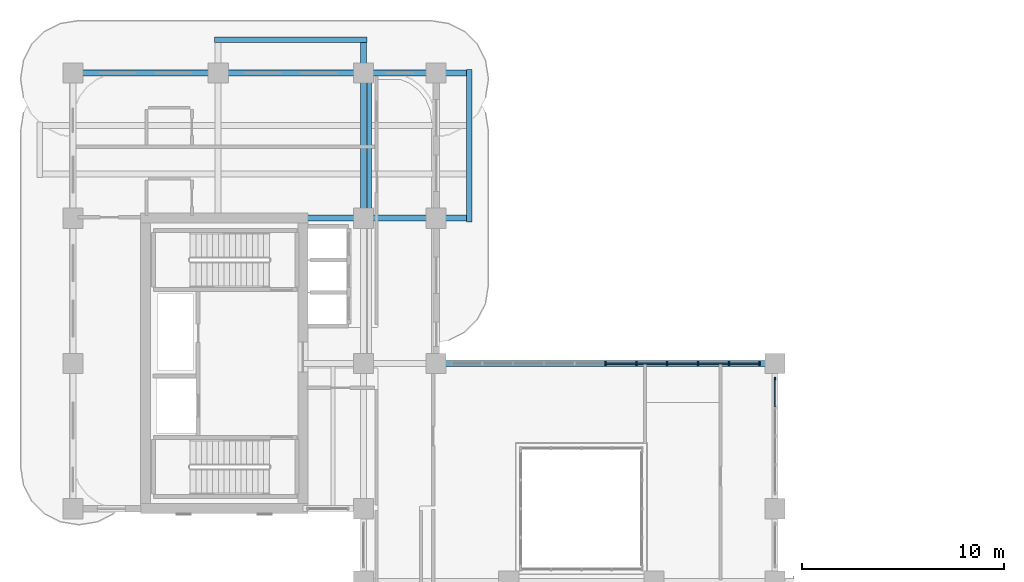
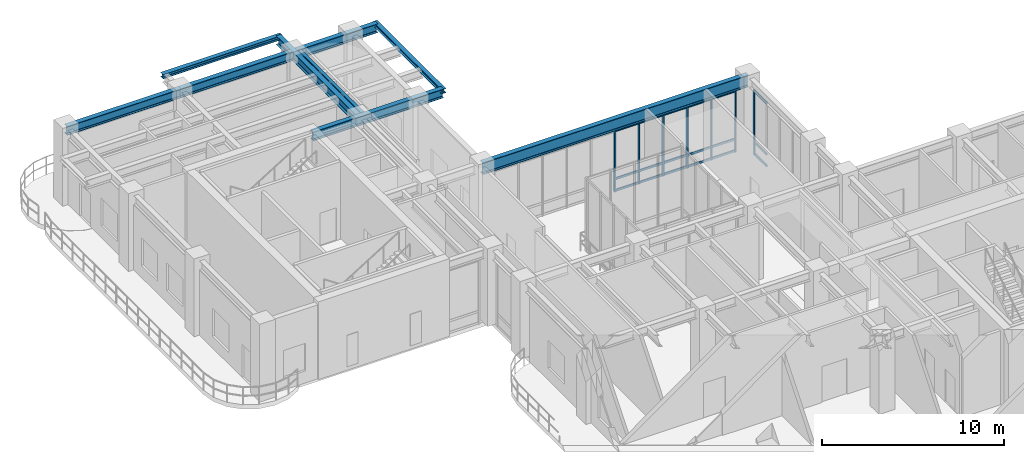
# One storey, part 6 of 21: 25 members, 8 beams, 2 elements without a shape of their own.
"""IFC4 building model written with IfcOpenShell, lengths in metres."""

from ifc_helpers import new_model, si_unit, derived_unit, direction, frame, origin, origin_2d, place, context, subcontext, project, spatial, rectangle, i_section, extrude, source, transform, mapped, material, layer, layer_set, material_profile, profile_set, type_object, type_shapes, element, aggregate, save


model = new_model("IFC4")

# Units and contexts
model_context = context("Model", 3, precision=1e-05, world=origin(), true_north=direction((0.0, 1.0)))
body_context = subcontext(model_context, "Body", "Model", "MODEL_VIEW")
ifc_project = project(units=[si_unit("LENGTHUNIT", "METRE"), si_unit("AREAUNIT", "SQUARE_METRE"), si_unit("VOLUMEUNIT", "CUBIC_METRE"), si_unit("PLANEANGLEUNIT", "RADIAN"), si_unit("MASSUNIT", "GRAM", prefix="KILO"), si_unit("THERMODYNAMICTEMPERATUREUNIT", "KELVIN"), si_unit("POWERUNIT", "WATT"), derived_unit("THERMALTRANSMITTANCEUNIT", [(si_unit("POWERUNIT", "WATT"), 1), (si_unit("AREAUNIT", "SQUARE_METRE"), -1), (si_unit("THERMODYNAMICTEMPERATUREUNIT", "KELVIN"), -1)])], contexts=[model_context])

# Site, building, storey
site_placement = place(None, origin())
site = spatial("IfcSite", under=ifc_project, at=site_placement, CompositionType="ELEMENT")
building_placement = place(site_placement, origin())
building = spatial("IfcBuilding", under=site, at=building_placement, Name="Zahravan Archway Hotel and Residences", CompositionType="ELEMENT")
storey_placement = place(building_placement, frame((0.0, 0.0, 145.10009765625)))
storey = spatial("IfcBuildingStorey", under=building, at=storey_placement, Name="L36", CompositionType="ELEMENT", Elevation=145.10009765625)

# Beams
ifc_material_1 = material(Name="Structural Steel S355JR", Category="steel")
ifc_material_profile_1 = material_profile(ifc_material_1, i_section(OverallWidth=0.280029296875, OverallDepth=0.280029296875, WebThickness=0.010498046875, FlangeThickness=0.01806640625, FilletRadius=0.02392578125, at=origin_2d()), Name="HEB 280", Category="steel")
ifc_profile_set_1 = profile_set([ifc_material_profile_1], Name="Structural Steel S355JR")
beam_type_1 = type_object("IfcBeamType", Name="BM-SPN-HEB280", PredefinedType="SPANDREL", material=ifc_profile_set_1)
shared_shape_1 = source(origin(), body_context, "Body", "SweptSolid", [
    extrude(i_section(OverallWidth=0.280029296875, OverallDepth=0.280029296875, WebThickness=0.010498046875, FlangeThickness=0.01806640625, FilletRadius=0.02392578125, at=origin_2d()), origin(), (0.0, 0.0, 1.0), 7.56005859375),
])
type_shapes(beam_type_1, [shared_shape_1])
for number, where, z_axis, x_axis, name in (
    (1, (19.64990234375, 39.419921875, 4.809814453125), (0.0, 1.0, 0.0), (-1.0, 0.0, 0.0), "L37 EB Balcony Edge Spandrel"),
    (2, (7.02001953125, 48.449951171875, 4.809814453125), (1.0, 0.0, 0.0), (0.0, 1.0, 0.0), "L37 NB Balcony Edge Spandrel"),
):
    element("IfcBeam", number, at=place(storey_placement, frame(where, z_axis=z_axis, x_axis=x_axis)), inside=storey, type_object=beam_type_1, Name=name, PredefinedType="SPANDREL", context=body_context, shape_type="MappedRepresentation", body=[
        mapped(shared_shape_1, transform((0.0, 0.0, 0.0), scale=1.0)),
    ])
ifc_material_2 = material(Name="Structural Steel S355J2", Category="steel")
ifc_material_profile_2 = material_profile(ifc_material_2, i_section(OverallWidth=0.300048828125, OverallDepth=0.800048828125, WebThickness=0.017578125, FlangeThickness=0.032958984375, FilletRadius=0.030029296875, at=origin_2d()), Name="HEB 800", Category="steel")
ifc_profile_set_2 = profile_set([ifc_material_profile_2], Name="Structural Steel S355J2")
beam_type_2 = type_object("IfcBeamType", Name="BM-PRI-HEB800", PredefinedType="BEAM", material=ifc_profile_set_2)
shared_shape_2 = source(origin(), body_context, "Body", "SweptSolid", [
    extrude(i_section(OverallWidth=0.300048828125, OverallDepth=0.800048828125, WebThickness=0.017578125, FlangeThickness=0.032958984375, FilletRadius=0.030029296875, at=origin_2d()), origin(), (0.0, 0.0, 1.0), 16.800048828125),
])
type_shapes(beam_type_2, [shared_shape_2])
beam_1_placement = place(storey_placement, frame((18.0, 32.39990234375, 4.5498046875), z_axis=(1.0, 0.0, 0.0), x_axis=(0.0, 1.0, 0.0)))
element("IfcBeam", 3, at=beam_1_placement, inside=storey, type_object=beam_type_2, Name="L36 Primary Girder EW-18", PredefinedType="BEAM", context=body_context, shape_type="MappedRepresentation", body=[
    mapped(shared_shape_2, transform((0.0, 0.0, 0.0), scale=1.0)),
])
ifc_material_profile_3 = material_profile(ifc_material_1, i_section(OverallWidth=0.300048828125, OverallDepth=0.60009765625, WebThickness=0.015380859375, FlangeThickness=0.030029296875, FilletRadius=0.027099609375, at=origin_2d()), Name="HEB 600", Category="steel")
ifc_profile_set_3 = profile_set([ifc_material_profile_3], Name="Structural Steel S355JR")
beam_type_3 = type_object("IfcBeamType", Name="BM-PRI-HEB600", PredefinedType="BEAM", material=ifc_profile_set_3)
shared_shape_3 = source(origin(), body_context, "Body", "SweptSolid", [
    extrude(i_section(OverallWidth=0.300048828125, OverallDepth=0.60009765625, WebThickness=0.015380859375, FlangeThickness=0.030029296875, FilletRadius=0.027099609375, at=origin_2d()), origin(), (0.0, 0.0, 1.0), 7.199951171875),
])
beam_2_placement = place(storey_placement, frame((0.0, 46.800048828125, 4.64990234375), z_axis=(1.0, 0.0, 0.0), x_axis=(0.0, 1.0, 0.0)))
element("IfcBeam", 4, at=beam_2_placement, inside=storey, type_object=beam_type_3, Name="L36 Primary Girder EW-20", PredefinedType="BEAM", context=body_context, shape_type="MappedRepresentation", body=[
    mapped(shared_shape_3, transform((0.0, 0.0, 0.0), scale=1.0)),
])
shared_shape_4 = source(origin(), body_context, "Body", "SweptSolid", [
    extrude(i_section(OverallWidth=0.300048828125, OverallDepth=0.60009765625, WebThickness=0.015380859375, FlangeThickness=0.030029296875, FilletRadius=0.027099609375, at=origin_2d()), origin(), (0.0, 0.0, 1.0), 8.25),
])
beam_3_placement = place(storey_placement, frame((11.39990234375, 39.60009765625, 4.64990234375), z_axis=(1.0, 0.0, 0.0), x_axis=(0.0, 1.0, 0.0)))
element("IfcBeam", 5, at=beam_3_placement, inside=storey, type_object=beam_type_3, Name="L36 Primary Girder EW-19", PredefinedType="BEAM", context=body_context, shape_type="MappedRepresentation", body=[
    mapped(shared_shape_4, transform((0.0, 0.0, 0.0), scale=1.0)),
])
shared_shape_5 = source(origin(), body_context, "Body", "SweptSolid", [
    extrude(i_section(OverallWidth=0.300048828125, OverallDepth=0.60009765625, WebThickness=0.015380859375, FlangeThickness=0.030029296875, FilletRadius=0.027099609375, at=origin_2d()), origin(), (0.0, 0.0, 1.0), 12.449951171875),
])
beam_4_placement = place(storey_placement, frame((7.199951171875, 46.800048828125, 4.64990234375), z_axis=(1.0, 0.0, 0.0), x_axis=(0.0, 1.0, 0.0)))
element("IfcBeam", 6, at=beam_4_placement, inside=storey, type_object=beam_type_3, Name="L36 Primary Girder EW-21", PredefinedType="BEAM", context=body_context, shape_type="MappedRepresentation", body=[
    mapped(shared_shape_5, transform((0.0, 0.0, 0.0), scale=1.0)),
])
shared_shape_6 = source(origin(), body_context, "Body", "SweptSolid", [
    extrude(i_section(OverallWidth=0.300048828125, OverallDepth=0.60009765625, WebThickness=0.015380859375, FlangeThickness=0.030029296875, FilletRadius=0.027099609375, at=origin_2d()), origin(), (0.0, 0.0, 1.0), 8.849853515625),
])
beam_5_placement = place(storey_placement, frame((14.39990234375, 39.60009765625, 4.64990234375), z_axis=(0.0, 1.0, 0.0), x_axis=(-1.0, 0.0, 0.0)))
element("IfcBeam", 7, at=beam_5_placement, inside=storey, type_object=beam_type_3, Name="L36 Primary Girder NS-34", PredefinedType="BEAM", context=body_context, shape_type="MappedRepresentation", body=[
    mapped(shared_shape_6, transform((0.0, 0.0, 0.0), scale=1.0)),
])
ifc_material_profile_4 = material_profile(ifc_material_1, i_section(OverallWidth=0.199951171875, OverallDepth=0.5, WebThickness=0.01025390625, FlangeThickness=0.01611328125, FilletRadius=0.02099609375, at=origin_2d()), Name="IPE 500", Category="steel")
ifc_profile_set_4 = profile_set([ifc_material_profile_4], Name="Structural Steel S355JR")
beam_type_4 = type_object("IfcBeamType", Name="BM-JST-IPE500", PredefinedType="JOIST", material=ifc_profile_set_4)
shared_shape_7 = source(origin(), body_context, "Body", "SweptSolid", [
    extrude(i_section(OverallWidth=0.199951171875, OverallDepth=0.5, WebThickness=0.01025390625, FlangeThickness=0.01611328125, FilletRadius=0.02099609375, at=origin_2d()), origin(), (0.0, 0.0, 1.0), 6.904052734375),
])
type_shapes(beam_type_4, [shared_shape_7])
beam_6_placement = place(storey_placement, frame((14.699951171875, 39.748046875, 4.699951171875), z_axis=(0.0, 1.0, 0.0), x_axis=(-1.0, 0.0, 0.0)))
element("IfcBeam", 8, at=beam_6_placement, inside=storey, type_object=beam_type_4, Name="L36 Composite Floor Joist 12", PredefinedType="JOIST", context=body_context, shape_type="MappedRepresentation", body=[
    mapped(shared_shape_7, transform((0.0, 0.0, 0.0), scale=1.0)),
])

# Curtain wall, members
ifc_material_3 = material(Name="Bronze-Anodized Unitised Aluminium & Low-E Glass", Category="aluminium")
ifc_layer = layer(ifc_material_3, 0.179931640625, Name="Bronze-Anodized Unitised Aluminium & Low-E Glass", Category="aluminium")
ifc_layer_set = layer_set([ifc_layer], Name="Bronze-Anodized Unitised Aluminium & Low-E Glass")
curtain_wall_type = type_object("IfcCurtainWallType", Name="CW-SBG-2", PredefinedType="NOTDEFINED", material=ifc_layer_set)
curtain_wall_1_placement = place(storey_placement, origin())
curtain_wall_1 = element("IfcCurtainWall", 9, at=curtain_wall_1_placement, inside=storey, type_object=curtain_wall_type, Name="L36 Curtain Wall CW-L36-HNG-E-2", PredefinedType="NOTDEFINED")
ifc_material_4 = material(Name="Bronze-Anodized Extruded Aluminium", Category="aluminium")
ifc_material_profile_5 = material_profile(ifc_material_4, rectangle(XDim=0.080078125, YDim=0.139892578125, at=origin_2d()), Name="TRN 80x140", Category="aluminium")
ifc_profile_set_5 = profile_set([ifc_material_profile_5], Name="Bronze-Anodized Extruded Aluminium")
member_type_1 = type_object("IfcMemberType", Name="CWM-TRN-140", PredefinedType="USERDEFINED", material=ifc_profile_set_5)
shared_shape_8 = source(origin(), body_context, "Body", "SweptSolid", [
    extrude(rectangle(XDim=0.080078125, YDim=0.139892578125, at=origin_2d()), origin(), (0.0, 0.0, 1.0), 1.340087890625),
])
member_1_placement = place(storey_placement, frame((34.800048828125, 30.260009765625, 0.06982421875), z_axis=(0.0, 1.0, 0.0), x_axis=(-1.0, 0.0, 0.0)))
member_1 = element("IfcMember", 10, at=member_1_placement, type_object=member_type_1, Name="CW-L36-HNG-E-2 Transom 3-1", ObjectType="TRANSOM", PredefinedType="USERDEFINED", context=body_context, shape_type="MappedRepresentation", body=[
    mapped(shared_shape_8, transform((0.0, 0.0, 0.0), scale=1.0)),
])
member_2_placement = place(storey_placement, frame((34.800048828125, 30.260009765625, 0.849853515625), z_axis=(0.0, 1.0, 0.0), x_axis=(-1.0, 0.0, 0.0)))
member_2 = element("IfcMember", 11, at=member_2_placement, type_object=member_type_1, Name="CW-L36-HNG-E-2 Transom 3-2", ObjectType="TRANSOM", PredefinedType="USERDEFINED", context=body_context, shape_type="MappedRepresentation", body=[
    mapped(shared_shape_8, transform((0.0, 0.0, 0.0), scale=1.0)),
])
member_3_placement = place(storey_placement, frame((34.800048828125, 30.260009765625, 4.264892578125), z_axis=(0.0, 1.0, 0.0), x_axis=(-1.0, 0.0, 0.0)))
member_3 = element("IfcMember", 12, at=member_3_placement, type_object=member_type_1, Name="CW-L36-HNG-E-2 Transom 3-3", ObjectType="TRANSOM", PredefinedType="USERDEFINED", context=body_context, shape_type="MappedRepresentation", body=[
    mapped(shared_shape_8, transform((0.0, 0.0, 0.0), scale=1.0)),
])

curtain_wall_2_placement = place(storey_placement, origin())
curtain_wall_2 = element("IfcCurtainWall", 13, at=curtain_wall_2_placement, inside=storey, type_object=curtain_wall_type, Name="L36 Curtain Wall CW-L36-HNG-N-1", PredefinedType="NOTDEFINED")
shared_shape_9 = source(origin(), body_context, "Body", "SweptSolid", [
    extrude(rectangle(XDim=0.080078125, YDim=0.139892578125, at=origin_2d()), origin(), (0.0, 0.0, 1.0), 1.447998046875),
])
member_4_placement = place(storey_placement, frame((26.43994140625, 32.39990234375, 0.06982421875), z_axis=(1.0, 0.0, 0.0), x_axis=(0.0, 1.0, 0.0)))
member_4 = element("IfcMember", 14, at=member_4_placement, type_object=member_type_1, Name="CW-L36-HNG-N-1 Transom 5-1", ObjectType="TRANSOM", PredefinedType="USERDEFINED", context=body_context, shape_type="MappedRepresentation", body=[
    mapped(shared_shape_9, transform((0.0, 0.0, 0.0), scale=1.0)),
])
member_5_placement = place(storey_placement, frame((26.43994140625, 32.39990234375, 0.849853515625), z_axis=(1.0, 0.0, 0.0), x_axis=(0.0, 1.0, 0.0)))
member_5 = element("IfcMember", 15, at=member_5_placement, type_object=member_type_1, Name="CW-L36-HNG-N-1 Transom 5-2", ObjectType="TRANSOM", PredefinedType="USERDEFINED", context=body_context, shape_type="MappedRepresentation", body=[
    mapped(shared_shape_9, transform((0.0, 0.0, 0.0), scale=1.0)),
])
member_6_placement = place(storey_placement, frame((26.43994140625, 32.39990234375, 4.06494140625), z_axis=(1.0, 0.0, 0.0), x_axis=(0.0, 1.0, 0.0)))
member_6 = element("IfcMember", 16, at=member_6_placement, type_object=member_type_1, Name="CW-L36-HNG-N-1 Transom 5-3", ObjectType="TRANSOM", PredefinedType="USERDEFINED", context=body_context, shape_type="MappedRepresentation", body=[
    mapped(shared_shape_9, transform((0.0, 0.0, 0.0), scale=1.0)),
])
member_7_placement = place(storey_placement, frame((27.968017578125, 32.39990234375, 0.06982421875), z_axis=(1.0, 0.0, 0.0), x_axis=(0.0, 1.0, 0.0)))
member_7 = element("IfcMember", 17, at=member_7_placement, type_object=member_type_1, Name="CW-L36-HNG-N-1 Transom 6-1", ObjectType="TRANSOM", PredefinedType="USERDEFINED", context=body_context, shape_type="MappedRepresentation", body=[
    mapped(shared_shape_9, transform((0.0, 0.0, 0.0), scale=1.0)),
])
member_8_placement = place(storey_placement, frame((27.968017578125, 32.39990234375, 0.849853515625), z_axis=(1.0, 0.0, 0.0), x_axis=(0.0, 1.0, 0.0)))
member_8 = element("IfcMember", 18, at=member_8_placement, type_object=member_type_1, Name="CW-L36-HNG-N-1 Transom 6-2", ObjectType="TRANSOM", PredefinedType="USERDEFINED", context=body_context, shape_type="MappedRepresentation", body=[
    mapped(shared_shape_9, transform((0.0, 0.0, 0.0), scale=1.0)),
])
member_9_placement = place(storey_placement, frame((27.968017578125, 32.39990234375, 4.06494140625), z_axis=(1.0, 0.0, 0.0), x_axis=(0.0, 1.0, 0.0)))
member_9 = element("IfcMember", 19, at=member_9_placement, type_object=member_type_1, Name="CW-L36-HNG-N-1 Transom 6-3", ObjectType="TRANSOM", PredefinedType="USERDEFINED", context=body_context, shape_type="MappedRepresentation", body=[
    mapped(shared_shape_9, transform((0.0, 0.0, 0.0), scale=1.0)),
])
member_10_placement = place(storey_placement, frame((29.49609375, 32.39990234375, 0.06982421875), z_axis=(1.0, 0.0, 0.0), x_axis=(0.0, 1.0, 0.0)))
member_10 = element("IfcMember", 20, at=member_10_placement, type_object=member_type_1, Name="CW-L36-HNG-N-1 Transom 7-1", ObjectType="TRANSOM", PredefinedType="USERDEFINED", context=body_context, shape_type="MappedRepresentation", body=[
    mapped(shared_shape_9, transform((0.0, 0.0, 0.0), scale=1.0)),
])
member_11_placement = place(storey_placement, frame((29.49609375, 32.39990234375, 0.849853515625), z_axis=(1.0, 0.0, 0.0), x_axis=(0.0, 1.0, 0.0)))
member_11 = element("IfcMember", 21, at=member_11_placement, type_object=member_type_1, Name="CW-L36-HNG-N-1 Transom 7-2", ObjectType="TRANSOM", PredefinedType="USERDEFINED", context=body_context, shape_type="MappedRepresentation", body=[
    mapped(shared_shape_9, transform((0.0, 0.0, 0.0), scale=1.0)),
])
member_12_placement = place(storey_placement, frame((29.49609375, 32.39990234375, 4.06494140625), z_axis=(1.0, 0.0, 0.0), x_axis=(0.0, 1.0, 0.0)))
member_12 = element("IfcMember", 22, at=member_12_placement, type_object=member_type_1, Name="CW-L36-HNG-N-1 Transom 7-3", ObjectType="TRANSOM", PredefinedType="USERDEFINED", context=body_context, shape_type="MappedRepresentation", body=[
    mapped(shared_shape_9, transform((0.0, 0.0, 0.0), scale=1.0)),
])
member_13_placement = place(storey_placement, frame((31.02392578125, 32.39990234375, 0.06982421875), z_axis=(1.0, 0.0, 0.0), x_axis=(0.0, 1.0, 0.0)))
member_13 = element("IfcMember", 23, at=member_13_placement, type_object=member_type_1, Name="CW-L36-HNG-N-1 Transom 8-1", ObjectType="TRANSOM", PredefinedType="USERDEFINED", context=body_context, shape_type="MappedRepresentation", body=[
    mapped(shared_shape_9, transform((0.0, 0.0, 0.0), scale=1.0)),
])
member_14_placement = place(storey_placement, frame((31.02392578125, 32.39990234375, 0.849853515625), z_axis=(1.0, 0.0, 0.0), x_axis=(0.0, 1.0, 0.0)))
member_14 = element("IfcMember", 24, at=member_14_placement, type_object=member_type_1, Name="CW-L36-HNG-N-1 Transom 8-2", ObjectType="TRANSOM", PredefinedType="USERDEFINED", context=body_context, shape_type="MappedRepresentation", body=[
    mapped(shared_shape_9, transform((0.0, 0.0, 0.0), scale=1.0)),
])
member_15_placement = place(storey_placement, frame((31.02392578125, 32.39990234375, 4.06494140625), z_axis=(1.0, 0.0, 0.0), x_axis=(0.0, 1.0, 0.0)))
member_15 = element("IfcMember", 25, at=member_15_placement, type_object=member_type_1, Name="CW-L36-HNG-N-1 Transom 8-3", ObjectType="TRANSOM", PredefinedType="USERDEFINED", context=body_context, shape_type="MappedRepresentation", body=[
    mapped(shared_shape_9, transform((0.0, 0.0, 0.0), scale=1.0)),
])
member_16_placement = place(storey_placement, frame((32.552001953125, 32.39990234375, 0.06982421875), z_axis=(1.0, 0.0, 0.0), x_axis=(0.0, 1.0, 0.0)))
member_16 = element("IfcMember", 26, at=member_16_placement, type_object=member_type_1, Name="CW-L36-HNG-N-1 Transom 9-1", ObjectType="TRANSOM", PredefinedType="USERDEFINED", context=body_context, shape_type="MappedRepresentation", body=[
    mapped(shared_shape_9, transform((0.0, 0.0, 0.0), scale=1.0)),
])
member_17_placement = place(storey_placement, frame((32.552001953125, 32.39990234375, 0.849853515625), z_axis=(1.0, 0.0, 0.0), x_axis=(0.0, 1.0, 0.0)))
member_17 = element("IfcMember", 27, at=member_17_placement, type_object=member_type_1, Name="CW-L36-HNG-N-1 Transom 9-2", ObjectType="TRANSOM", PredefinedType="USERDEFINED", context=body_context, shape_type="MappedRepresentation", body=[
    mapped(shared_shape_9, transform((0.0, 0.0, 0.0), scale=1.0)),
])
member_18_placement = place(storey_placement, frame((32.552001953125, 32.39990234375, 4.06494140625), z_axis=(1.0, 0.0, 0.0), x_axis=(0.0, 1.0, 0.0)))
member_18 = element("IfcMember", 28, at=member_18_placement, type_object=member_type_1, Name="CW-L36-HNG-N-1 Transom 9-3", ObjectType="TRANSOM", PredefinedType="USERDEFINED", context=body_context, shape_type="MappedRepresentation", body=[
    mapped(shared_shape_9, transform((0.0, 0.0, 0.0), scale=1.0)),
])

# Member
ifc_material_profile_6 = material_profile(ifc_material_4, rectangle(XDim=0.080078125, YDim=0.159912109375, at=origin_2d()), Name="MUL 80x160", Category="aluminium")
ifc_profile_set_6 = profile_set([ifc_material_profile_6], Name="Bronze-Anodized Extruded Aluminium")
member_type_2 = type_object("IfcMemberType", Name="CWM-MUL-160", PredefinedType="MULLION", material=ifc_profile_set_6)
shared_shape_10 = source(origin(), body_context, "Body", "SweptSolid", [
    extrude(rectangle(XDim=0.080078125, YDim=0.159912109375, at=origin_2d()), origin(), (0.0, 0.0, 1.0), 4.3349609375),
])
member_19_placement = place(storey_placement, frame((34.800048828125, 31.639892578125, 0.0), z_axis=(0.0, 0.0, 1.0), x_axis=(1.0, 0.0, 0.0)))
member_19 = element("IfcMember", 29, at=member_19_placement, type_object=member_type_2, Name="CW-L36-HNG-E-2 Mullion 4", PredefinedType="MULLION", context=body_context, shape_type="MappedRepresentation", body=[
    mapped(shared_shape_10, transform((0.0, 0.0, 0.0), scale=1.0)),
])

aggregate(curtain_wall_1, [member_19, member_1, member_2, member_3])

shared_shape_11 = source(origin(), body_context, "Body", "SweptSolid", [
    extrude(rectangle(XDim=0.080078125, YDim=0.159912109375, at=origin_2d()), origin(), (0.0, 0.0, 1.0), 4.135009765625),
])
member_20_placement = place(storey_placement, frame((26.39990234375, 32.39990234375, 0.0), z_axis=(0.0, 0.0, 1.0), x_axis=(1.0, 0.0, 0.0)))
member_20 = element("IfcMember", 30, at=member_20_placement, type_object=member_type_2, Name="CW-L36-HNG-N-1 Mullion 5", PredefinedType="MULLION", context=body_context, shape_type="MappedRepresentation", body=[
    mapped(shared_shape_11, transform((0.0, 0.0, 0.0), scale=1.0)),
])

member_21_placement = place(storey_placement, frame((27.927978515625, 32.39990234375, 0.0), z_axis=(0.0, 0.0, 1.0), x_axis=(1.0, 0.0, 0.0)))
member_21 = element("IfcMember", 31, at=member_21_placement, type_object=member_type_2, Name="CW-L36-HNG-N-1 Mullion 6", PredefinedType="MULLION", context=body_context, shape_type="MappedRepresentation", body=[
    mapped(shared_shape_11, transform((0.0, 0.0, 0.0), scale=1.0)),
])

member_22_placement = place(storey_placement, frame((29.4560546875, 32.39990234375, 0.0), z_axis=(0.0, 0.0, 1.0), x_axis=(1.0, 0.0, 0.0)))
member_22 = element("IfcMember", 32, at=member_22_placement, type_object=member_type_2, Name="CW-L36-HNG-N-1 Mullion 7", PredefinedType="MULLION", context=body_context, shape_type="MappedRepresentation", body=[
    mapped(shared_shape_11, transform((0.0, 0.0, 0.0), scale=1.0)),
])

member_23_placement = place(storey_placement, frame((30.98388671875, 32.39990234375, 0.0), z_axis=(0.0, 0.0, 1.0), x_axis=(1.0, 0.0, 0.0)))
member_23 = element("IfcMember", 33, at=member_23_placement, type_object=member_type_2, Name="CW-L36-HNG-N-1 Mullion 8", PredefinedType="MULLION", context=body_context, shape_type="MappedRepresentation", body=[
    mapped(shared_shape_11, transform((0.0, 0.0, 0.0), scale=1.0)),
])

member_24_placement = place(storey_placement, frame((32.511962890625, 32.39990234375, 0.0), z_axis=(0.0, 0.0, 1.0), x_axis=(1.0, 0.0, 0.0)))
member_24 = element("IfcMember", 34, at=member_24_placement, type_object=member_type_2, Name="CW-L36-HNG-N-1 Mullion 9", PredefinedType="MULLION", context=body_context, shape_type="MappedRepresentation", body=[
    mapped(shared_shape_11, transform((0.0, 0.0, 0.0), scale=1.0)),
])

member_25_placement = place(storey_placement, frame((34.0400390625, 32.39990234375, 0.0), z_axis=(0.0, 0.0, 1.0), x_axis=(1.0, 0.0, 0.0)))
member_25 = element("IfcMember", 35, at=member_25_placement, type_object=member_type_2, Name="CW-L36-HNG-N-1 Mullion 10", PredefinedType="MULLION", context=body_context, shape_type="MappedRepresentation", body=[
    mapped(shared_shape_11, transform((0.0, 0.0, 0.0), scale=1.0)),
])

aggregate(curtain_wall_2, [member_20, member_21, member_22, member_23, member_24, member_25, member_4, member_5, member_6, member_7, member_8, member_9, member_10, member_11, member_12, member_13, member_14, member_15, member_16, member_17, member_18])

save(model, "model.ifc")
